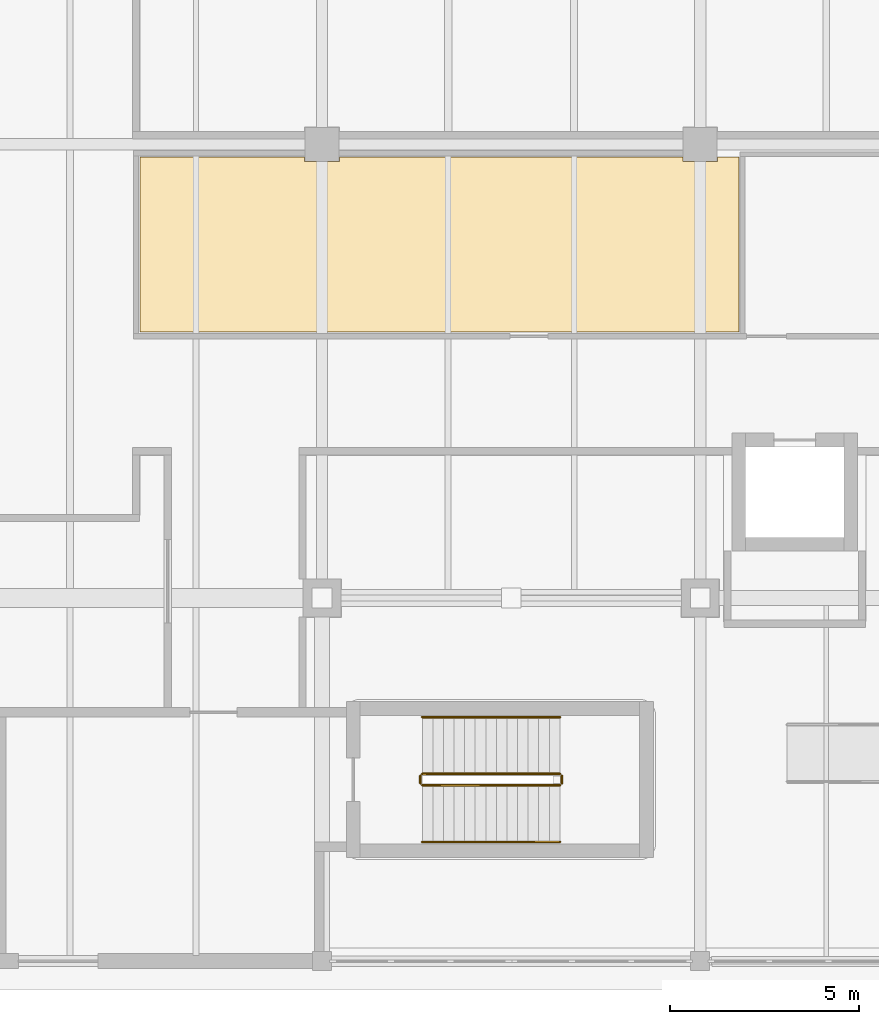
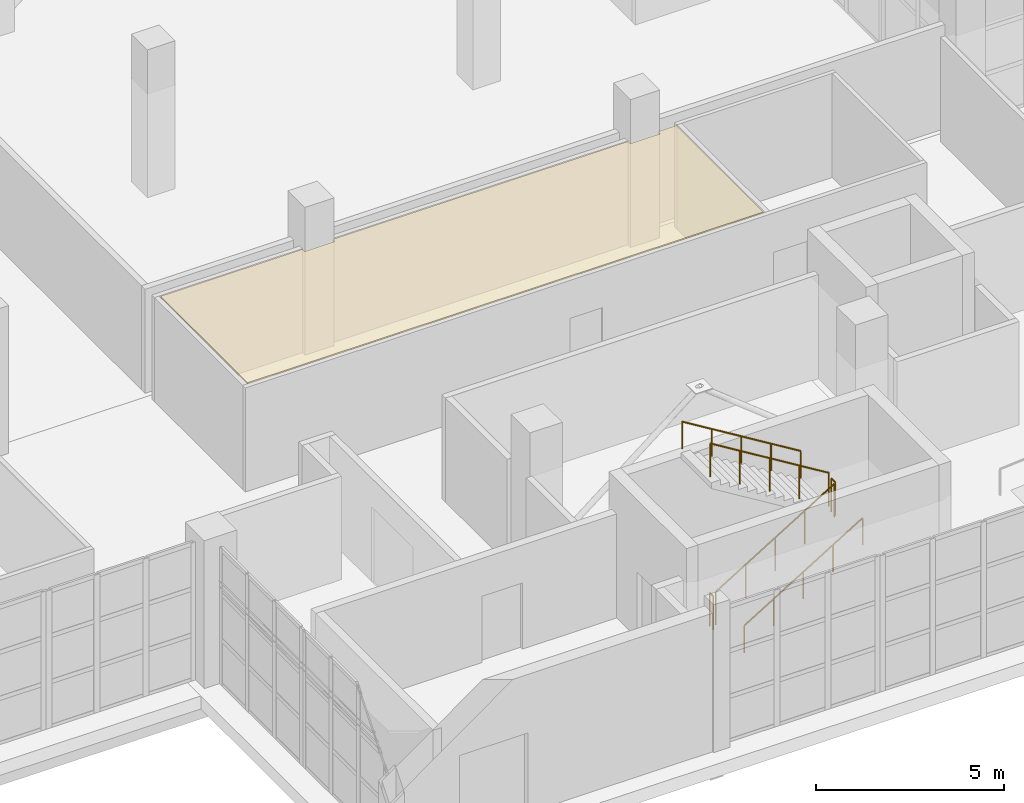
# One storey, part 115 of 121: 6 railings, 1 covering.
"""IFC4 building model written with IfcOpenShell, lengths in metres."""

from ifc_helpers import new_model, si_unit, direction, frame, origin, origin_2d, place, context, subcontext, project, spatial, polyline, circle, outline, extrude, material, layer, layer_set, type_object, element, save


model = new_model("IFC4")

# Units and contexts
model_context = context("Model", 3, precision=1e-05, world=origin(), true_north=direction((0.0, 1.0)))
body_context = subcontext(model_context, "Body", "Model", "MODEL_VIEW")
ifc_project = project(units=[si_unit("LENGTHUNIT", "METRE"), si_unit("AREAUNIT", "SQUARE_METRE"), si_unit("VOLUMEUNIT", "CUBIC_METRE"), si_unit("PLANEANGLEUNIT", "RADIAN"), si_unit("MASSUNIT", "GRAM", prefix="KILO")], contexts=[model_context])

# Site, building, storey
site_placement = place(None, origin())
site = spatial("IfcSite", under=ifc_project, at=site_placement, CompositionType="ELEMENT")
building_placement = place(site_placement, origin())
building = spatial("IfcBuilding", under=site, at=building_placement, Name="Zereglee Splitstone Museum", CompositionType="ELEMENT")
storey_placement = place(building_placement, origin())
storey = spatial("IfcBuildingStorey", under=building, at=storey_placement, Name="L00", CompositionType="ELEMENT", Elevation=0.0)

# Covering
ifc_material_1 = material(Name="Perforated acoustic gypsum board ceiling", Category="masonry")
ifc_layer = layer(ifc_material_1, 0.044921875)
ifc_layer_set = layer_set([ifc_layer], Name="Perforated acoustic gypsum board ceiling")
covering_type = type_object("IfcCoveringType", Name="CLG-02", PredefinedType="CEILING", material=ifc_layer_set)
covering_placement = place(storey_placement, frame((0.0, 0.0, 3.3349609375)))
element("IfcCovering", 1, at=covering_placement, inside=storey, type_object=covering_type, Name="Acoustic Ceiling L00-012", PredefinedType="CEILING", context=body_context, shape_type="SweptSolid", body=[
    extrude(outline(polyline([(196.219970703125, 16.6298828125), (180.3798828125, 16.6298828125), (180.3798828125, 21.260009765625), (184.741943359375, 21.260009765625), (184.741943359375, 21.14208984375), (185.657958984375, 21.14208984375), (185.657958984375, 21.260009765625), (194.741943359375, 21.260009765625), (194.741943359375, 21.14208984375), (195.657958984375, 21.14208984375), (195.657958984375, 21.260009765625), (196.219970703125, 21.260009765625), (196.219970703125, 16.6298828125)])), origin(), (0.0, 0.0, 1.0), 0.044921875),
])

# Railings
ifc_material_2 = material(Name="Painted steel S355J2 post-and-baluster guard", Category="steel")
railing_type_1 = type_object("IfcRailingType", Name="GR-03", PredefinedType="BALUSTRADE", material=ifc_material_2)
railing_1_placement = place(storey_placement, frame((187.85009765625, 4.64990234375, 0.17138671875)))
element("IfcRailing", 2, at=railing_1_placement, inside=storey, type_object=railing_type_1, Name="L00 ST-04 stair guard 1", PredefinedType="BALUSTRADE", context=body_context, shape_type="SweptSolid", body=[
    extrude(circle(Radius=0.02392578125, at=origin_2d()), frame((0.0, 0.0, 1.076416015625), z_axis=(0.852850264322, 0.0, 0.5221555579), x_axis=(0.0, 1.0, 0.0)), (0.0, 0.0, 1.0), 4.267822265625),
    extrude(circle(Radius=0.02099609375, at=origin_2d()), origin(), (0.0, 0.0, 1.0), 1.052001953125),
    extrude(circle(Radius=0.02099609375, at=origin_2d()), frame((0.909912109375, 0.0, 0.55712890625)), (0.0, 0.0, 1.0), 1.052001953125),
    extrude(circle(Radius=0.02099609375, at=origin_2d()), frame((1.81982421875, 0.0, 1.1142578125)), (0.0, 0.0, 1.0), 1.052001953125),
    extrude(circle(Radius=0.02099609375, at=origin_2d()), frame((2.72998046875, 0.0, 1.67138671875)), (0.0, 0.0, 1.0), 1.052001953125),
    extrude(circle(Radius=0.02099609375, at=origin_2d()), frame((3.639892578125, 0.0, 2.228515625)), (0.0, 0.0, 1.0), 1.052001953125),
])
railing_2_placement = place(storey_placement, frame((191.5400390625, 4.699951171875, 2.39990234375)))
element("IfcRailing", 3, at=railing_2_placement, inside=storey, type_object=railing_type_1, Name="L00 ST-04 stair guard 2", PredefinedType="BALUSTRADE", context=body_context, shape_type="SweptSolid", body=[
    extrude(circle(Radius=0.02392578125, at=origin_2d()), frame((0.0, 0.0, 1.076416015625), z_axis=(0.0, 1.0, 0.0), x_axis=(-1.0, 0.0, 0.0)), (0.0, 0.0, 1.0), 0.199951171875),
    extrude(circle(Radius=0.02099609375, at=origin_2d()), origin(), (0.0, 0.0, 1.0), 1.052001953125),
    extrude(circle(Radius=0.02099609375, at=origin_2d()), frame((0.0, 0.199951171875, 0.0)), (0.0, 0.0, 1.0), 1.052001953125),
])
railing_3_placement = place(storey_placement, frame((191.489990234375, 4.949951171875, 2.571533203125)))
element("IfcRailing", 4, at=railing_3_placement, inside=storey, type_object=railing_type_1, Name="L00 ST-04 stair guard 3", PredefinedType="BALUSTRADE", context=body_context, shape_type="SweptSolid", body=[
    extrude(circle(Radius=0.02392578125, at=origin_2d()), frame((0.0, 0.0, 1.076416015625), z_axis=(-0.852850264322, 0.0, 0.5221555579), x_axis=(0.0, -1.0, 0.0)), (0.0, 0.0, 1.0), 4.267822265625),
    extrude(circle(Radius=0.02099609375, at=origin_2d()), origin(), (0.0, 0.0, 1.0), 1.052001953125),
    extrude(circle(Radius=0.02099609375, at=origin_2d()), frame((-0.909912109375, 0.0, 0.55712890625)), (0.0, 0.0, 1.0), 1.052001953125),
    extrude(circle(Radius=0.02099609375, at=origin_2d()), frame((-1.81982421875, 0.0, 1.1142578125)), (0.0, 0.0, 1.0), 1.052001953125),
    extrude(circle(Radius=0.02099609375, at=origin_2d()), frame((-2.72998046875, 0.0, 1.67138671875)), (0.0, 0.0, 1.0), 1.052001953125),
    extrude(circle(Radius=0.02099609375, at=origin_2d()), frame((-3.639892578125, 0.0, 2.228515625)), (0.0, 0.0, 1.0), 1.052001953125),
])
railing_4_placement = place(storey_placement, frame((187.800048828125, 4.699951171875, 0.0)))
element("IfcRailing", 5, at=railing_4_placement, inside=storey, type_object=railing_type_1, Name="L00 ST-04 stair guard 4", PredefinedType="BALUSTRADE", context=body_context, shape_type="SweptSolid", body=[
    extrude(circle(Radius=0.02392578125, at=origin_2d()), frame((0.0, 0.0, 1.076416015625), z_axis=(0.0, 1.0, 0.0), x_axis=(-1.0, 0.0, 0.0)), (0.0, 0.0, 1.0), 0.199951171875),
    extrude(circle(Radius=0.02099609375, at=origin_2d()), origin(), (0.0, 0.0, 1.0), 1.052001953125),
    extrude(circle(Radius=0.02099609375, at=origin_2d()), frame((0.0, 0.199951171875, 0.0)), (0.0, 0.0, 1.0), 1.052001953125),
])
ifc_material_3 = material(Name="Architectural bronze tubular handrail", Category="steel")
railing_type_2 = type_object("IfcRailingType", Name="HR-01", PredefinedType="HANDRAIL", material=ifc_material_3)
railing_5_placement = place(storey_placement, frame((187.85009765625, 3.14990234375, 0.17138671875)))
element("IfcRailing", 6, at=railing_5_placement, inside=storey, type_object=railing_type_2, Name="L00 ST-04 stair handrail 1", PredefinedType="HANDRAIL", context=body_context, shape_type="SweptSolid", body=[
    extrude(circle(Radius=0.02392578125, at=origin_2d()), frame((0.0, 0.0, 0.8759765625), z_axis=(0.852850264322, 0.0, 0.5221555579), x_axis=(0.0, 1.0, 0.0)), (0.0, 0.0, 1.0), 4.267822265625),
    extrude(circle(Radius=0.02099609375, at=origin_2d()), origin(), (0.0, 0.0, 1.0), 0.851806640625),
    extrude(circle(Radius=0.02099609375, at=origin_2d()), frame((0.909912109375, 0.0, 0.55712890625)), (0.0, 0.0, 1.0), 0.851806640625),
    extrude(circle(Radius=0.02099609375, at=origin_2d()), frame((1.81982421875, 0.0, 1.1142578125)), (0.0, 0.0, 1.0), 0.851806640625),
    extrude(circle(Radius=0.02099609375, at=origin_2d()), frame((2.72998046875, 0.0, 1.67138671875)), (0.0, 0.0, 1.0), 0.851806640625),
    extrude(circle(Radius=0.02099609375, at=origin_2d()), frame((3.639892578125, 0.0, 2.228515625)), (0.0, 0.0, 1.0), 0.851806640625),
])
railing_6_placement = place(storey_placement, frame((191.489990234375, 6.449951171875, 2.571533203125)))
element("IfcRailing", 7, at=railing_6_placement, inside=storey, type_object=railing_type_2, Name="L00 ST-04 stair handrail 2", PredefinedType="HANDRAIL", context=body_context, shape_type="SweptSolid", body=[
    extrude(circle(Radius=0.02392578125, at=origin_2d()), frame((0.0, 0.0, 0.8759765625), z_axis=(-0.852850264322, 0.0, 0.5221555579), x_axis=(0.0, -1.0, 0.0)), (0.0, 0.0, 1.0), 4.267822265625),
    extrude(circle(Radius=0.02099609375, at=origin_2d()), origin(), (0.0, 0.0, 1.0), 0.851806640625),
    extrude(circle(Radius=0.02099609375, at=origin_2d()), frame((-0.909912109375, 0.0, 0.55712890625)), (0.0, 0.0, 1.0), 0.851806640625),
    extrude(circle(Radius=0.02099609375, at=origin_2d()), frame((-1.81982421875, 0.0, 1.1142578125)), (0.0, 0.0, 1.0), 0.851806640625),
    extrude(circle(Radius=0.02099609375, at=origin_2d()), frame((-2.72998046875, 0.0, 1.67138671875)), (0.0, 0.0, 1.0), 0.851806640625),
    extrude(circle(Radius=0.02099609375, at=origin_2d()), frame((-3.639892578125, 0.0, 2.228515625)), (0.0, 0.0, 1.0), 0.851806640625),
])

save(model, "model.ifc")
